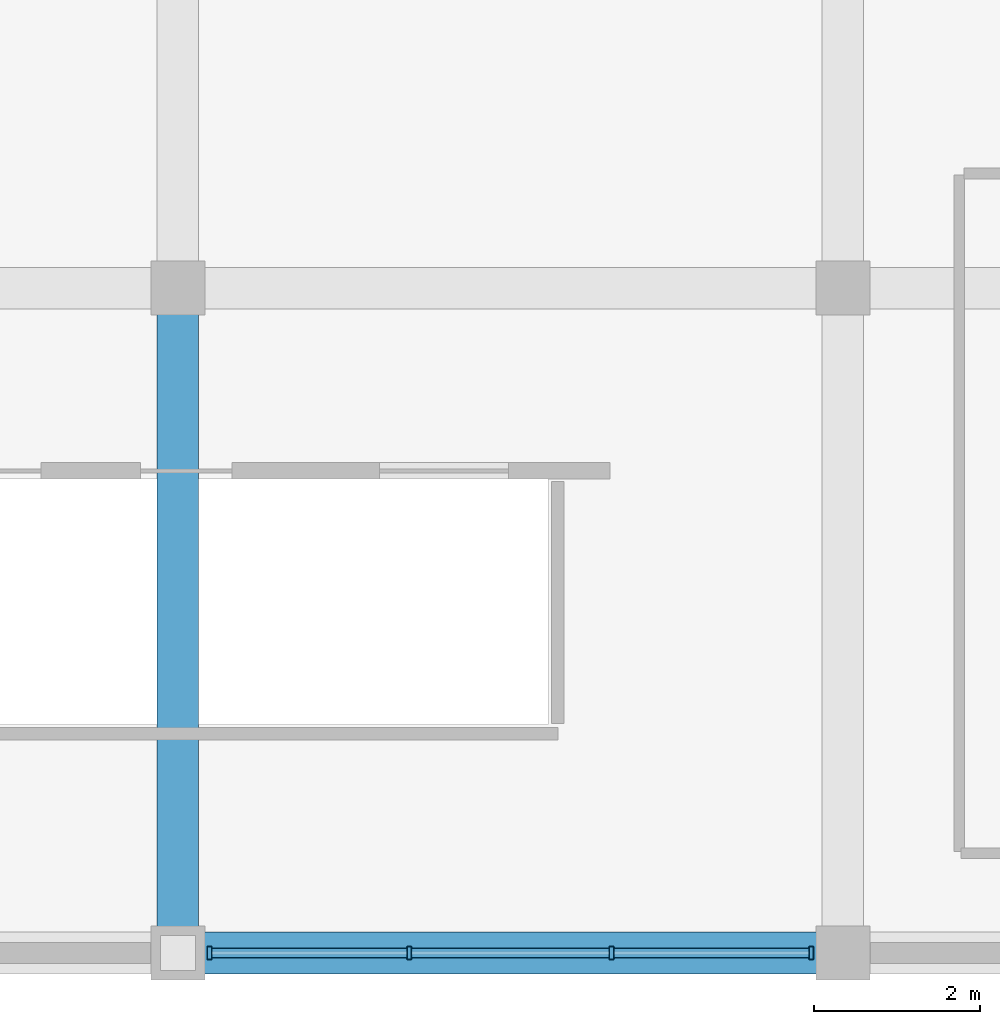
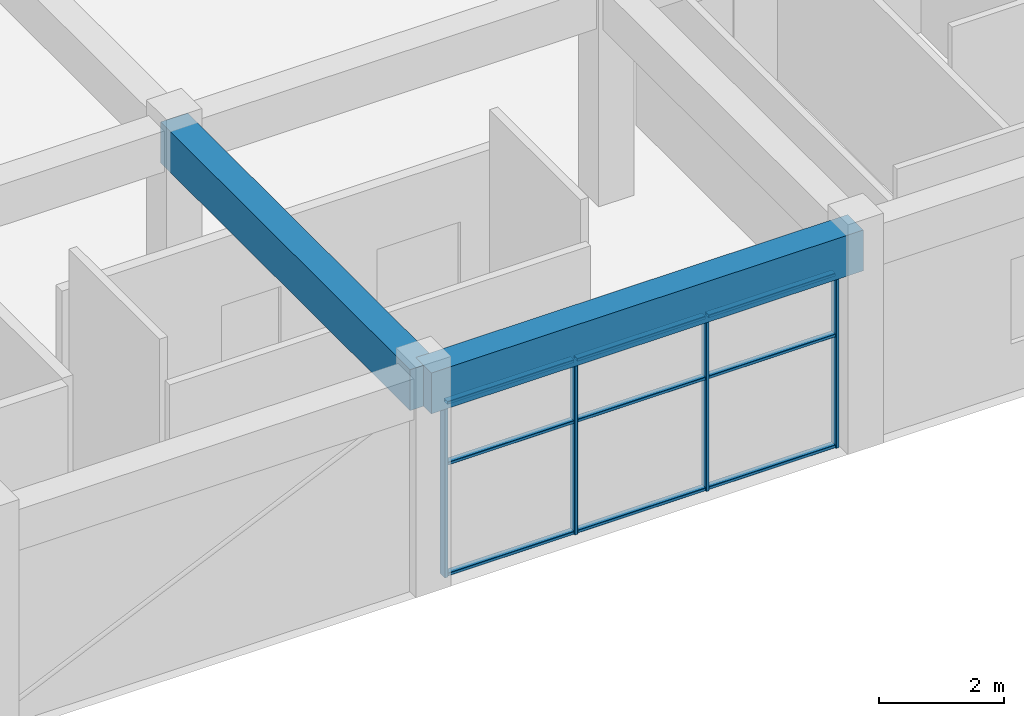
# One storey, part 6 of 52: 13 members, 2 beams, 1 element without a shape of its own.
"""IFC4 building model written with IfcOpenShell, lengths in metres."""

from ifc_helpers import new_model, si_unit, direction, frame, origin, origin_2d, place, context, subcontext, project, spatial, rectangle, hollow_rectangle, extrude, material, layer, layer_set, material_profile, profile_set, type_object, element, aggregate, save


model = new_model("IFC4")

# Units and contexts
model_context = context("Model", 3, precision=1e-05, world=origin(), true_north=direction((0.0, 1.0)))
body_context = subcontext(model_context, "Body", "Model", "MODEL_VIEW")
ifc_project = project(units=[si_unit("LENGTHUNIT", "METRE"), si_unit("AREAUNIT", "SQUARE_METRE"), si_unit("VOLUMEUNIT", "CUBIC_METRE"), si_unit("PLANEANGLEUNIT", "RADIAN"), si_unit("MASSUNIT", "GRAM", prefix="KILO")], contexts=[model_context])

# Site, building, storey
site_placement = place(None, origin())
site = spatial("IfcSite", under=ifc_project, at=site_placement, CompositionType="ELEMENT")
building_placement = place(site_placement, origin())
building = spatial("IfcBuilding", under=site, at=building_placement, Name="Kelanora Arch Commons", CompositionType="ELEMENT")
storey_placement = place(building_placement, frame((0.0, 0.0, 13.5)))
storey = spatial("IfcBuildingStorey", under=building, at=storey_placement, Name="L03", CompositionType="ELEMENT", Elevation=13.5)

# Beams
ifc_material_1 = material(Name="Concrete C40/50", Category="concrete")
ifc_material_profile_1 = material_profile(ifc_material_1, rectangle(XDim=0.5, YDim=0.800048828125, at=origin_2d()), Name="RCB500x800")
ifc_profile_set_1 = profile_set([ifc_material_profile_1], Name="Concrete C40/50")
beam_type = type_object("IfcBeamType", Name="BM-MKT-RC1", PredefinedType="BEAM", material=ifc_profile_set_1)
for number, where, z_axis, x_axis, name in (
    (1, (20.0, 4.0, 3.840087890625), (1.0, 0.0, 0.0), (0.0, 1.0, 0.0), "Market/Basement Frame Beam 038 L03"),
    (2, (20.0, 4.0, 3.840087890625), (0.0, 1.0, 0.0), (-1.0, 0.0, 0.0), "Market/Basement Frame Beam 039 L03"),
):
    element("IfcBeam", number, at=place(storey_placement, frame(where, z_axis=z_axis, x_axis=x_axis)), inside=storey, type_object=beam_type, Name=name, PredefinedType="BEAM", context=body_context, shape_type="SweptSolid", body=[
        extrude(rectangle(XDim=0.5, YDim=0.800048828125, at=origin_2d()), origin(), (0.0, 0.0, 1.0), 8.0),
    ])

# Curtain wall, members
ifc_material_2 = material(Name="Terracotta ceramic-fritted low-E glass and aluminium", Category="masonry")
ifc_layer = layer(ifc_material_2, 0.16796875)
ifc_layer_set = layer_set([ifc_layer], Name="Terracotta ceramic-fritted low-E glass and aluminium")
curtain_wall_type = type_object("IfcCurtainWallType", Name="CW-SYS-07", PredefinedType="NOTDEFINED", material=ifc_layer_set)
curtain_wall_placement = place(storey_placement, origin())
curtain_wall = element("IfcCurtainWall", 3, at=curtain_wall_placement, inside=storey, type_object=curtain_wall_type, Name="Market Hall Arcade Curtain Wall L03-02", PredefinedType="NOTDEFINED")
ifc_material_3 = material(Name="Powder-coated aluminium terracotta", Category="masonry")
ifc_material_profile_2 = material_profile(ifc_material_3, hollow_rectangle(XDim=0.159912109375, YDim=0.06005859375, WallThickness=0.0048828125, InnerFilletRadius=0.0048828125, OuterFilletRadius=0.010009765625, at=origin_2d()), Name="CWM160x60")
ifc_profile_set_2 = profile_set([ifc_material_profile_2], Name="Powder-coated aluminium terracotta")
member_type_1 = type_object("IfcMemberType", Name="CWM-STD", PredefinedType="MULLION", material=ifc_profile_set_2)
member_1_placement = place(storey_placement, frame((20.3798828125, 4.0, 0.0), z_axis=(0.0, 0.0, 1.0), x_axis=(0.0, 1.0, 0.0)))
member_1 = element("IfcMember", 4, at=member_1_placement, type_object=member_type_1, Name="CW-07 mullion 1", PredefinedType="MULLION", context=body_context, shape_type="SweptSolid", body=[
    extrude(hollow_rectangle(XDim=0.159912109375, YDim=0.06005859375, WallThickness=0.0048828125, InnerFilletRadius=0.0048828125, OuterFilletRadius=0.010009765625, at=origin_2d()), origin(), (0.0, 0.0, 1.0), 3.419921875),
])
member_2_placement = place(storey_placement, frame((22.783447265625, 4.0, 0.0), z_axis=(0.0, 0.0, 1.0), x_axis=(0.0, 1.0, 0.0)))
member_2 = element("IfcMember", 5, at=member_2_placement, type_object=member_type_1, Name="CW-07 mullion 2", PredefinedType="MULLION", context=body_context, shape_type="SweptSolid", body=[
    extrude(hollow_rectangle(XDim=0.159912109375, YDim=0.06005859375, WallThickness=0.0048828125, InnerFilletRadius=0.0048828125, OuterFilletRadius=0.010009765625, at=origin_2d()), origin(), (0.0, 0.0, 1.0), 3.419921875),
])
member_3_placement = place(storey_placement, frame((25.216552734375, 4.0, 0.0), z_axis=(0.0, 0.0, 1.0), x_axis=(0.0, 1.0, 0.0)))
member_3 = element("IfcMember", 6, at=member_3_placement, type_object=member_type_1, Name="CW-07 mullion 3", PredefinedType="MULLION", context=body_context, shape_type="SweptSolid", body=[
    extrude(hollow_rectangle(XDim=0.159912109375, YDim=0.06005859375, WallThickness=0.0048828125, InnerFilletRadius=0.0048828125, OuterFilletRadius=0.010009765625, at=origin_2d()), origin(), (0.0, 0.0, 1.0), 3.419921875),
])
member_4_placement = place(storey_placement, frame((27.6201171875, 4.0, 0.0), z_axis=(0.0, 0.0, 1.0), x_axis=(0.0, 1.0, 0.0)))
member_4 = element("IfcMember", 7, at=member_4_placement, type_object=member_type_1, Name="CW-07 mullion 4", PredefinedType="MULLION", context=body_context, shape_type="SweptSolid", body=[
    extrude(hollow_rectangle(XDim=0.159912109375, YDim=0.06005859375, WallThickness=0.0048828125, InnerFilletRadius=0.0048828125, OuterFilletRadius=0.010009765625, at=origin_2d()), origin(), (0.0, 0.0, 1.0), 3.419921875),
])
ifc_material_profile_3 = material_profile(ifc_material_3, hollow_rectangle(XDim=0.1201171875, YDim=0.06005859375, WallThickness=0.0048828125, InnerFilletRadius=0.0048828125, OuterFilletRadius=0.010009765625, at=origin_2d()), Name="CWT120x60")
ifc_profile_set_3 = profile_set([ifc_material_profile_3], Name="Powder-coated aluminium terracotta")
member_type_2 = type_object("IfcMemberType", Name="CWT-STD", PredefinedType="USERDEFINED", material=ifc_profile_set_3)
member_5_placement = place(storey_placement, frame((20.409912109375, 4.0, 0.030029296875), z_axis=(1.0, 0.0, 0.0), x_axis=(0.0, 1.0, 0.0)))
member_5 = element("IfcMember", 8, at=member_5_placement, type_object=member_type_2, Name="CW-07 transom 1.1", ObjectType="TRANSOM", PredefinedType="USERDEFINED", context=body_context, shape_type="SweptSolid", body=[
    extrude(hollow_rectangle(XDim=0.1201171875, YDim=0.06005859375, WallThickness=0.0048828125, InnerFilletRadius=0.0048828125, OuterFilletRadius=0.010009765625, at=origin_2d()), origin(), (0.0, 0.0, 1.0), 2.343505859375),
])
member_6_placement = place(storey_placement, frame((20.409912109375, 4.0, 2.199951171875), z_axis=(1.0, 0.0, 0.0), x_axis=(0.0, 1.0, 0.0)))
member_6 = element("IfcMember", 9, at=member_6_placement, type_object=member_type_2, Name="CW-07 transom 1.2", ObjectType="TRANSOM", PredefinedType="USERDEFINED", context=body_context, shape_type="SweptSolid", body=[
    extrude(hollow_rectangle(XDim=0.1201171875, YDim=0.06005859375, WallThickness=0.0048828125, InnerFilletRadius=0.0048828125, OuterFilletRadius=0.010009765625, at=origin_2d()), origin(), (0.0, 0.0, 1.0), 2.343505859375),
])
member_7_placement = place(storey_placement, frame((20.409912109375, 4.0, 3.389892578125), z_axis=(1.0, 0.0, 0.0), x_axis=(0.0, 1.0, 0.0)))
member_7 = element("IfcMember", 10, at=member_7_placement, type_object=member_type_2, Name="CW-07 transom 1.3", ObjectType="TRANSOM", PredefinedType="USERDEFINED", context=body_context, shape_type="SweptSolid", body=[
    extrude(hollow_rectangle(XDim=0.1201171875, YDim=0.06005859375, WallThickness=0.0048828125, InnerFilletRadius=0.0048828125, OuterFilletRadius=0.010009765625, at=origin_2d()), origin(), (0.0, 0.0, 1.0), 2.343505859375),
])
member_8_placement = place(storey_placement, frame((22.813232421875, 4.0, 0.030029296875), z_axis=(1.0, 0.0, 0.0), x_axis=(0.0, 1.0, 0.0)))
member_8 = element("IfcMember", 11, at=member_8_placement, type_object=member_type_2, Name="CW-07 transom 2.1", ObjectType="TRANSOM", PredefinedType="USERDEFINED", context=body_context, shape_type="SweptSolid", body=[
    extrude(hollow_rectangle(XDim=0.1201171875, YDim=0.06005859375, WallThickness=0.0048828125, InnerFilletRadius=0.0048828125, OuterFilletRadius=0.010009765625, at=origin_2d()), origin(), (0.0, 0.0, 1.0), 2.37353515625),
])
member_9_placement = place(storey_placement, frame((22.813232421875, 4.0, 2.199951171875), z_axis=(1.0, 0.0, 0.0), x_axis=(0.0, 1.0, 0.0)))
member_9 = element("IfcMember", 12, at=member_9_placement, type_object=member_type_2, Name="CW-07 transom 2.2", ObjectType="TRANSOM", PredefinedType="USERDEFINED", context=body_context, shape_type="SweptSolid", body=[
    extrude(hollow_rectangle(XDim=0.1201171875, YDim=0.06005859375, WallThickness=0.0048828125, InnerFilletRadius=0.0048828125, OuterFilletRadius=0.010009765625, at=origin_2d()), origin(), (0.0, 0.0, 1.0), 2.37353515625),
])
member_10_placement = place(storey_placement, frame((22.813232421875, 4.0, 3.389892578125), z_axis=(1.0, 0.0, 0.0), x_axis=(0.0, 1.0, 0.0)))
member_10 = element("IfcMember", 13, at=member_10_placement, type_object=member_type_2, Name="CW-07 transom 2.3", ObjectType="TRANSOM", PredefinedType="USERDEFINED", context=body_context, shape_type="SweptSolid", body=[
    extrude(hollow_rectangle(XDim=0.1201171875, YDim=0.06005859375, WallThickness=0.0048828125, InnerFilletRadius=0.0048828125, OuterFilletRadius=0.010009765625, at=origin_2d()), origin(), (0.0, 0.0, 1.0), 2.37353515625),
])
member_11_placement = place(storey_placement, frame((25.24658203125, 4.0, 0.030029296875), z_axis=(1.0, 0.0, 0.0), x_axis=(0.0, 1.0, 0.0)))
member_11 = element("IfcMember", 14, at=member_11_placement, type_object=member_type_2, Name="CW-07 transom 3.1", ObjectType="TRANSOM", PredefinedType="USERDEFINED", context=body_context, shape_type="SweptSolid", body=[
    extrude(hollow_rectangle(XDim=0.1201171875, YDim=0.06005859375, WallThickness=0.0048828125, InnerFilletRadius=0.0048828125, OuterFilletRadius=0.010009765625, at=origin_2d()), origin(), (0.0, 0.0, 1.0), 2.343505859375),
])
member_12_placement = place(storey_placement, frame((25.24658203125, 4.0, 2.199951171875), z_axis=(1.0, 0.0, 0.0), x_axis=(0.0, 1.0, 0.0)))
member_12 = element("IfcMember", 15, at=member_12_placement, type_object=member_type_2, Name="CW-07 transom 3.2", ObjectType="TRANSOM", PredefinedType="USERDEFINED", context=body_context, shape_type="SweptSolid", body=[
    extrude(hollow_rectangle(XDim=0.1201171875, YDim=0.06005859375, WallThickness=0.0048828125, InnerFilletRadius=0.0048828125, OuterFilletRadius=0.010009765625, at=origin_2d()), origin(), (0.0, 0.0, 1.0), 2.343505859375),
])
member_13_placement = place(storey_placement, frame((25.24658203125, 4.0, 3.389892578125), z_axis=(1.0, 0.0, 0.0), x_axis=(0.0, 1.0, 0.0)))
member_13 = element("IfcMember", 16, at=member_13_placement, type_object=member_type_2, Name="CW-07 transom 3.3", ObjectType="TRANSOM", PredefinedType="USERDEFINED", context=body_context, shape_type="SweptSolid", body=[
    extrude(hollow_rectangle(XDim=0.1201171875, YDim=0.06005859375, WallThickness=0.0048828125, InnerFilletRadius=0.0048828125, OuterFilletRadius=0.010009765625, at=origin_2d()), origin(), (0.0, 0.0, 1.0), 2.343505859375),
])
aggregate(curtain_wall, [member_1, member_2, member_3, member_4, member_5, member_6, member_7, member_8, member_9, member_10, member_11, member_12, member_13])

save(model, "model.ifc")
